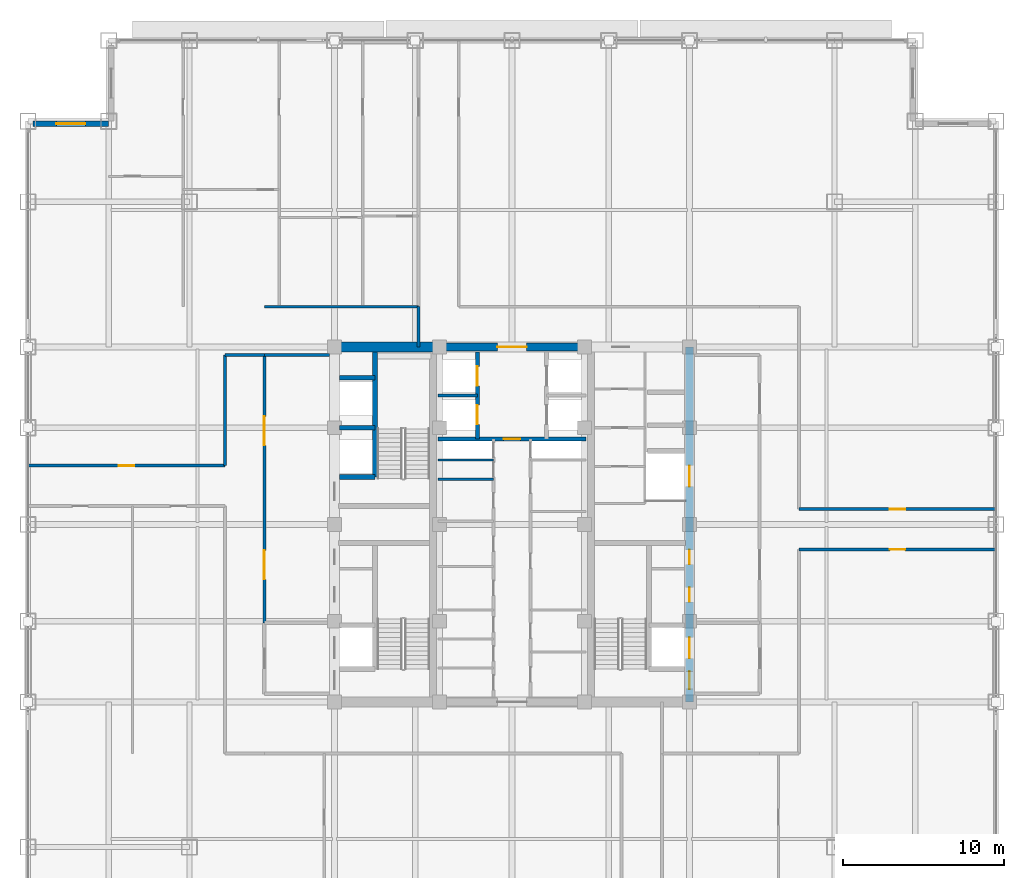
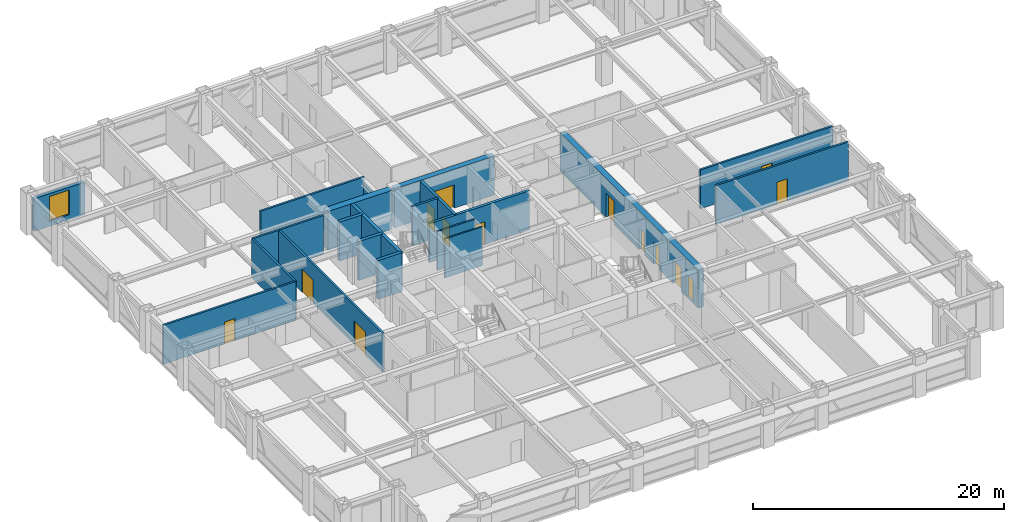
# One storey, part 22 of 29: 22 walls, 14 doors, 1 window, 15 openings.
"""IFC4 building model written with IfcOpenShell, lengths in metres."""

from ifc_helpers import new_model, si_unit, direction, frame, frame_2d, origin, place, context, subcontext, project, spatial, rectangle, extrude, source, transform, mapped, material, layer, layer_set, type_object, element, fill, save


model = new_model("IFC4")

# Units and contexts
model_context = context("Model", 3, precision=1e-05, world=origin(), true_north=direction((0.0, 1.0)))
body_context = subcontext(model_context, "Body", "Model", "MODEL_VIEW")
ifc_project = project(units=[si_unit("LENGTHUNIT", "METRE"), si_unit("AREAUNIT", "SQUARE_METRE"), si_unit("VOLUMEUNIT", "CUBIC_METRE"), si_unit("PLANEANGLEUNIT", "RADIAN"), si_unit("MASSUNIT", "GRAM", prefix="KILO")], contexts=[model_context])

# Site, building, storey
site_placement = place(None, origin())
site = spatial("IfcSite", under=ifc_project, at=site_placement, CompositionType="ELEMENT")
building_placement = place(site_placement, origin())
building = spatial("IfcBuilding", under=site, at=building_placement, Name="Khorayat Bourse Tower", CompositionType="ELEMENT")
storey_placement = place(building_placement, frame((0.0, 0.0, 235.10009765625)))
storey = spatial("IfcBuildingStorey", under=building, at=storey_placement, Name="L55", CompositionType="ELEMENT", Elevation=235.10009765625)

# Wall, opening, door
ifc_material_1 = material(Name="Concrete C52/65", Category="concrete")
ifc_layer_1 = layer(ifc_material_1, 0.5)
ifc_layer_set_1 = layer_set([ifc_layer_1], Name="Concrete C52/65")
wall_type_1 = type_object("IfcWallType", Name="WAL-CORE-500", PredefinedType="SHEAR", material=ifc_layer_set_1)
shared_shape_1 = source(origin(), body_context, "Body", "SweptSolid", [
    extrude(rectangle(XDim=9.2001953125, YDim=0.5, at=frame_2d((4.60009765625, 0.0))), origin(), (0.0, 0.0, 1.0), 3.77978515625),
])
wall_1_placement = place(storey_placement, frame((-4.60009765625, 11.0, 0.0), z_axis=(0.0, 0.0, 1.0), x_axis=(1.0, 0.0, 0.0)))
wall_1 = element("IfcWall", 1, at=wall_1_placement, inside=storey, type_object=wall_type_1, Name="L55 Core Shear Wall CORE-N", PredefinedType="SHEAR", context=body_context, shape_type="MappedRepresentation", body=[
    mapped(shared_shape_1, transform((0.0, 0.0, 0.0), scale=1.0)),
])
shared_shape_2 = source(origin(), body_context, "Body", "SweptSolid", [
    extrude(rectangle(XDim=1.800048828125, YDim=2.25, at=frame_2d((0.89990234375, 1.125))), frame((0.0, 0.260009765625, 0.0), z_axis=(0.0, -1.0, 0.0), x_axis=(1.0, 0.0, 0.0)), (0.0, 0.0, 1.0), 0.52001953125),
])
opening_1_placement = place(wall_1_placement, frame((3.699951171875, 0.0, 0.0)))
opening_1 = element("IfcOpeningElement", 2, at=opening_1_placement, cuts=wall_1, Name="Opening DI-03", PredefinedType="OPENING", context=body_context, shape_type="MappedRepresentation", body=[
    mapped(shared_shape_2, transform((0.0, 0.0, 0.0), scale=1.0)),
])
ifc_material_2 = material(Name="Fire-rated hardwood vision-panel double leaf", Category="wood")
door_type_1 = type_object("IfcDoorType", Name="DR-INT-CORR-1800", OperationType="NOTDEFINED", PredefinedType="DOOR", material=ifc_material_2)
shared_shape_3 = source(origin(), body_context, "Body", "SweptSolid", [
    extrude(rectangle(XDim=1.800048828125, YDim=2.25, at=frame_2d((0.89990234375, 1.125))), frame((0.0, 0.02490234375, 0.0), z_axis=(0.0, -1.0, 0.0), x_axis=(1.0, 0.0, 0.0)), (0.0, 0.0, 1.0), 0.050048828125),
])
door_1_placement = place(opening_1_placement, origin())
door_1 = element("IfcDoor", 3, at=door_1_placement, inside=storey, type_object=door_type_1, Name="L55 Mid-Rise Lift Lobby Door", OperationType="SINGLE_SWING_RIGHT", OverallHeight=2.25, OverallWidth=1.800048828125, PredefinedType="DOOR", context=body_context, shape_type="MappedRepresentation", body=[
    mapped(shared_shape_3, transform((0.0, 0.0, 0.0), scale=1.0)),
])
fill(opening_1, door_1)

# Wall, openings, doors
shared_shape_4 = source(origin(), body_context, "Body", "SweptSolid", [
    extrude(rectangle(XDim=22.0, YDim=0.5, at=frame_2d((11.0, 0.0))), origin(), (0.0, 0.0, 1.0), 3.77978515625),
])
wall_2_placement = place(storey_placement, frame((11.0, -11.0, 0.0), z_axis=(0.0, 0.0, 1.0), x_axis=(0.0, 1.0, 0.0)))
wall_2 = element("IfcWall", 4, at=wall_2_placement, inside=storey, type_object=wall_type_1, Name="L55 Core Shear Wall CORE-E", PredefinedType="SHEAR", context=body_context, shape_type="MappedRepresentation", body=[
    mapped(shared_shape_4, transform((0.0, 0.0, 0.0), scale=1.0)),
])
shared_shape_5 = source(origin(), body_context, "Body", "SweptSolid", [
    extrude(rectangle(XDim=1.10009765625, YDim=2.199951171875, at=frame_2d((0.550048828125, 1.10009765625))), frame((0.0, 0.260009765625, 0.0), z_axis=(0.0, -1.0, 0.0), x_axis=(1.0, 0.0, 0.0)), (0.0, 0.0, 1.0), 0.52001953125),
])
opening_2_placement = place(wall_2_placement, frame((0.800048828125, 0.0, 0.0)))
opening_2 = element("IfcOpeningElement", 5, at=opening_2_placement, cuts=wall_2, Name="Opening DI-01", PredefinedType="OPENING", context=body_context, shape_type="MappedRepresentation", body=[
    mapped(shared_shape_5, transform((0.0, 0.0, 0.0), scale=1.0)),
])
shared_shape_6 = source(origin(), body_context, "Body", "SweptSolid", [
    extrude(rectangle(XDim=0.89990234375, YDim=2.14990234375, at=frame_2d((0.449951171875, 1.074951171875))), frame((0.0, 0.260009765625, 0.0), z_axis=(0.0, -1.0, 0.0), x_axis=(1.0, 0.0, 0.0)), (0.0, 0.0, 1.0), 0.52001953125),
])
opening_3_placement = place(wall_2_placement, frame((6.199951171875, 0.0, 0.0)))
opening_3 = element("IfcOpeningElement", 6, at=opening_3_placement, cuts=wall_2, Name="Opening DI-06", PredefinedType="OPENING", context=body_context, shape_type="MappedRepresentation", body=[
    mapped(shared_shape_6, transform((0.0, 0.0, 0.0), scale=1.0)),
])
opening_4_placement = place(wall_2_placement, frame((8.52490234375, 0.0, 0.0)))
opening_4 = element("IfcOpeningElement", 7, at=opening_4_placement, cuts=wall_2, Name="Opening DI-06", PredefinedType="OPENING", context=body_context, shape_type="MappedRepresentation", body=[
    mapped(shared_shape_6, transform((0.0, 0.0, 0.0), scale=1.0)),
])
shared_shape_7 = source(origin(), body_context, "Body", "SweptSolid", [
    extrude(rectangle(XDim=1.300048828125, YDim=2.300048828125, at=frame_2d((0.64990234375, 1.14990234375))), frame((0.0, 0.260009765625, 0.0), z_axis=(0.0, -1.0, 0.0), x_axis=(1.0, 0.0, 0.0)), (0.0, 0.0, 1.0), 0.52001953125),
])
opening_5_placement = place(wall_2_placement, frame((2.699951171875, 0.0, 0.0)))
opening_5 = element("IfcOpeningElement", 8, at=opening_5_placement, cuts=wall_2, Name="Opening LD-02", PredefinedType="OPENING", context=body_context, shape_type="MappedRepresentation", body=[
    mapped(shared_shape_7, transform((0.0, 0.0, 0.0), scale=1.0)),
])
opening_6_placement = place(wall_2_placement, frame((13.35009765625, 0.0, 0.0)))
opening_6 = element("IfcOpeningElement", 9, at=opening_6_placement, cuts=wall_2, Name="Opening LD-02", PredefinedType="OPENING", context=body_context, shape_type="MappedRepresentation", body=[
    mapped(shared_shape_7, transform((0.0, 0.0, 0.0), scale=1.0)),
])
ifc_material_3 = material(Name="Fire-rated steel acoustic leaf", Category="steel")
door_type_2 = type_object("IfcDoorType", Name="DR-INT-STAIR-1100", OperationType="NOTDEFINED", PredefinedType="DOOR", material=ifc_material_3)
shared_shape_8 = source(origin(), body_context, "Body", "SweptSolid", [
    extrude(rectangle(XDim=1.10009765625, YDim=2.199951171875, at=frame_2d((0.550048828125, 1.10009765625))), frame((0.0, 0.02490234375, 0.0), z_axis=(0.0, -1.0, 0.0), x_axis=(1.0, 0.0, 0.0)), (0.0, 0.0, 1.0), 0.050048828125),
])
door_2_placement = place(opening_2_placement, origin())
door_2 = element("IfcDoor", 10, at=door_2_placement, inside=storey, type_object=door_type_2, Name="L55 Exit Stair 3 Door", OperationType="SINGLE_SWING_LEFT", OverallHeight=2.199951171875, OverallWidth=1.10009765625, PredefinedType="DOOR", context=body_context, shape_type="MappedRepresentation", body=[
    mapped(shared_shape_8, transform((0.0, 0.0, 0.0), scale=1.0)),
])
fill(opening_2, door_2)
ifc_material_4 = material(Name="Moisture-resistant laminate washroom door")
door_type_3 = type_object("IfcDoorType", Name="DR-INT-WC-900", OperationType="NOTDEFINED", PredefinedType="DOOR", material=ifc_material_4)
shared_shape_9 = source(origin(), body_context, "Body", "SweptSolid", [
    extrude(rectangle(XDim=0.89990234375, YDim=2.14990234375, at=frame_2d((0.449951171875, 1.074951171875))), frame((0.0, 0.02490234375, 0.0), z_axis=(0.0, -1.0, 0.0), x_axis=(1.0, 0.0, 0.0)), (0.0, 0.0, 1.0), 0.050048828125),
])
door_3_placement = place(opening_3_placement, origin())
door_3 = element("IfcDoor", 11, at=door_3_placement, inside=storey, type_object=door_type_3, Name="L55 Telecom Closet Door", OperationType="SINGLE_SWING_LEFT", OverallHeight=2.14990234375, OverallWidth=0.89990234375, PredefinedType="DOOR", context=body_context, shape_type="MappedRepresentation", body=[
    mapped(shared_shape_9, transform((0.0, 0.0, 0.0), scale=1.0)),
])
fill(opening_3, door_3)
door_4_placement = place(opening_4_placement, origin())
door_4 = element("IfcDoor", 12, at=door_4_placement, inside=storey, type_object=door_type_3, Name="L55 Stationery Store Door", OperationType="SINGLE_SWING_RIGHT", OverallHeight=2.14990234375, OverallWidth=0.89990234375, PredefinedType="DOOR", context=body_context, shape_type="MappedRepresentation", body=[
    mapped(shared_shape_9, transform((0.0, 0.0, 0.0), scale=1.0)),
])
fill(opening_4, door_4)
ifc_material_5 = material(Name="Fire-rated stainless-steel sliding landing door", Category="steel")
door_type_4 = type_object("IfcDoorType", Name="DR-LIFT-FF-1300", OperationType="NOTDEFINED", PredefinedType="DOOR", material=ifc_material_5)
shared_shape_10 = source(origin(), body_context, "Body", "SweptSolid", [
    extrude(rectangle(XDim=1.300048828125, YDim=2.300048828125, at=frame_2d((0.64990234375, 1.14990234375))), frame((0.0, 0.02490234375, 0.0), z_axis=(0.0, -1.0, 0.0), x_axis=(1.0, 0.0, 0.0)), (0.0, 0.0, 1.0), 0.050048828125),
])
door_5_placement = place(opening_5_placement, origin())
door_5 = element("IfcDoor", 13, at=door_5_placement, inside=storey, type_object=door_type_4, Name="L55 Lift FFL-02 Sliding Landing Door", OperationType="SLIDING_TO_LEFT", OverallHeight=2.300048828125, OverallWidth=1.300048828125, PredefinedType="DOOR", context=body_context, shape_type="MappedRepresentation", body=[
    mapped(shared_shape_10, transform((0.0, 0.0, 0.0), scale=1.0)),
])
fill(opening_5, door_5)
door_6_placement = place(opening_6_placement, origin())
door_6 = element("IfcDoor", 14, at=door_6_placement, inside=storey, type_object=door_type_4, Name="L55 Lift SVL-01 Sliding Landing Door", OperationType="SLIDING_TO_LEFT", OverallHeight=2.300048828125, OverallWidth=1.300048828125, PredefinedType="DOOR", context=body_context, shape_type="MappedRepresentation", body=[
    mapped(shared_shape_10, transform((0.0, 0.0, 0.0), scale=1.0)),
])
fill(opening_6, door_6)

# Wall
ifc_material_6 = material(Name="Concrete C60/75", Category="concrete")
ifc_layer_2 = layer(ifc_material_6, 0.60009765625)
ifc_layer_set_2 = layer_set([ifc_layer_2], Name="Concrete C60/75")
wall_type_2 = type_object("IfcWallType", Name="WAL-CORE-600", PredefinedType="SHEAR", material=ifc_layer_set_2)
shared_shape_11 = source(origin(), body_context, "Body", "SweptSolid", [
    extrude(rectangle(XDim=5.89990234375, YDim=0.60009765625, at=frame_2d((2.949951171875, 0.0))), origin(), (0.0, 0.0, 1.0), 3.77978515625),
])
wall_3_placement = place(storey_placement, frame((-10.75, 11.0, 0.0), z_axis=(0.0, 0.0, 1.0), x_axis=(1.0, 0.0, 0.0)))
element("IfcWall", 15, at=wall_3_placement, inside=storey, type_object=wall_type_2, Name="L55 Core Shear Wall PIER-WN", PredefinedType="SHEAR", context=body_context, shape_type="MappedRepresentation", body=[
    mapped(shared_shape_11, transform((0.0, 0.0, 0.0), scale=1.0)),
])

# Wall, opening, window
ifc_material_7 = material(Name="Precast concrete C45/55", Category="concrete")
ifc_layer_3 = layer(ifc_material_7, 0.320068359375)
ifc_layer_set_3 = layer_set([ifc_layer_3], Name="Precast concrete C45/55")
wall_type_3 = type_object("IfcWallType", Name="WAL-EXT-STONE-320", PredefinedType="STANDARD", material=ifc_layer_set_3)
shared_shape_12 = source(origin(), body_context, "Body", "SweptSolid", [
    extrude(rectangle(XDim=4.679931640625, YDim=0.320068359375, at=frame_2d((2.33984375, 0.0))), origin(), (0.0, 0.0, 1.0), 3.163818359375),
])
wall_4_placement = place(storey_placement, frame((-25.0, 24.840087890625, 0.0), z_axis=(0.0, 0.0, 1.0), x_axis=(-1.0, 0.0, 0.0)))
wall_4 = element("IfcWall", 16, at=wall_4_placement, inside=storey, type_object=wall_type_3, Name="L55 Re-Entrant Notch Limestone Wall NW-H", PredefinedType="STANDARD", context=body_context, shape_type="MappedRepresentation", body=[
    mapped(shared_shape_12, transform((0.0, 0.0, 0.0), scale=1.0)),
])
shared_shape_13 = source(origin(), body_context, "Body", "SweptSolid", [
    extrude(rectangle(XDim=1.800048828125, YDim=2.39990234375, at=frame_2d((0.89990234375, 1.199951171875))), frame((0.0, 0.169921875, 0.0), z_axis=(0.0, -1.0, 0.0), x_axis=(1.0, 0.0, 0.0)), (0.0, 0.0, 1.0), 0.340087890625),
])
opening_7_placement = place(wall_4_placement, frame((1.43994140625, 0.0, 0.5)))
opening_7 = element("IfcOpeningElement", 17, at=opening_7_placement, cuts=wall_4, Name="Opening WN-04", PredefinedType="OPENING", context=body_context, shape_type="MappedRepresentation", body=[
    mapped(shared_shape_13, transform((0.0, 0.0, 0.0), scale=1.0)),
])
ifc_material_8 = material(Name="Low-E acoustic laminated double glazing", Category="glass")
window_type = type_object("IfcWindowType", Name="WIN-NOTCH-1800x2400", PartitioningType="SINGLE_PANEL", PredefinedType="WINDOW", material=ifc_material_8)
shared_shape_14 = source(origin(), body_context, "Body", "SweptSolid", [
    extrude(rectangle(XDim=1.800048828125, YDim=2.39990234375, at=frame_2d((0.89990234375, 1.199951171875))), frame((0.0, 0.030029296875, 0.0), z_axis=(0.0, -1.0, 0.0), x_axis=(1.0, 0.0, 0.0)), (0.0, 0.0, 1.0), 0.06005859375),
])
window_placement = place(opening_7_placement, origin())
window = element("IfcWindow", 18, at=window_placement, inside=storey, type_object=window_type, Name="L55 Facade Window 1", OverallHeight=2.39990234375, OverallWidth=1.800048828125, PartitioningType="SINGLE_PANEL", PredefinedType="WINDOW", context=body_context, shape_type="MappedRepresentation", body=[
    mapped(shared_shape_14, transform((0.0, 0.0, 0.0), scale=1.0)),
])
fill(opening_7, window)

# Walls
ifc_material_9 = material(Name="Concrete C50/60", Category="concrete")
ifc_layer_4 = layer(ifc_material_9, 0.300048828125)
ifc_layer_set_4 = layer_set([ifc_layer_4], Name="Concrete C50/60")
wall_type_4 = type_object("IfcWallType", Name="WAL-SHAFT-300", PredefinedType="SHEAR", material=ifc_layer_set_4)
shared_shape_15 = source(origin(), body_context, "Body", "SweptSolid", [
    extrude(rectangle(XDim=2.199951171875, YDim=0.300048828125, at=frame_2d((1.10009765625, 0.0))), origin(), (0.0, 0.0, 1.0), 3.77978515625),
])
for number, where, z_axis, x_axis, name in (
    (19, (-10.699951171875, 2.949951171875, 0.0), (0.0, 0.0, 1.0), (1.0, 0.0, 0.0), "L55 Partition WAL-L55-WPIER-H1S"),
    (20, (-10.699951171875, 6.0, 0.0), (0.0, 0.0, 1.0), (1.0, 0.0, 0.0), "L55 Partition WAL-L55-WPIER-H12"),
    (21, (-10.699951171875, 9.10009765625, 0.0), (0.0, 0.0, 1.0), (1.0, 0.0, 0.0), "L55 Partition WAL-L55-WPIER-H2N"),
):
    element("IfcWall", number, at=place(storey_placement, frame(where, z_axis=z_axis, x_axis=x_axis)), inside=storey, type_object=wall_type_4, Name=name, PredefinedType="SHEAR", context=body_context, shape_type="MappedRepresentation", body=[
        mapped(shared_shape_15, transform((0.0, 0.0, 0.0), scale=1.0)),
    ])
shared_shape_16 = source(origin(), body_context, "Body", "SweptSolid", [
    extrude(rectangle(XDim=7.75, YDim=0.300048828125, at=frame_2d((3.875, 0.0))), origin(), (0.0, 0.0, 1.0), 3.77978515625),
])
wall_5_placement = place(storey_placement, frame((-8.5, 2.949951171875, 0.0), z_axis=(0.0, 0.0, 1.0), x_axis=(0.0, 1.0, 0.0)))
element("IfcWall", 22, at=wall_5_placement, inside=storey, type_object=wall_type_4, Name="L55 Partition WAL-L55-WPIER-ST2S", PredefinedType="SHEAR", context=body_context, shape_type="MappedRepresentation", body=[
    mapped(shared_shape_16, transform((0.0, 0.0, 0.0), scale=1.0)),
])
ifc_material_10 = material(Name="Gypsum plasterboard acoustic stud wall")
ifc_layer_5 = layer(ifc_material_10, 0.179931640625)
ifc_layer_set_5 = layer_set([ifc_layer_5], Name="Gypsum plasterboard acoustic stud wall")
wall_type_5 = type_object("IfcWallType", Name="WAL-PART-CORR-180", PredefinedType="PARTITIONING", material=ifc_layer_set_5)
shared_shape_17 = source(origin(), body_context, "Body", "SweptSolid", [
    extrude(rectangle(XDim=4.050048828125, YDim=0.179931640625, at=frame_2d((2.02490234375, 0.0))), origin(), (0.0, 0.0, 1.0), 3.77978515625),
])
wall_6_placement = place(storey_placement, frame((-15.35009765625, 10.5, 0.0), z_axis=(0.0, 0.0, 1.0), x_axis=(1.0, 0.0, 0.0)))
element("IfcWall", 23, at=wall_6_placement, inside=storey, type_object=wall_type_5, Name="L55 Partition WAL-L55-WLOB-N", PredefinedType="PARTITIONING", context=body_context, shape_type="MappedRepresentation", body=[
    mapped(shared_shape_17, transform((0.0, 0.0, 0.0), scale=1.0)),
])

# Wall, openings, doors
shared_shape_18 = source(origin(), body_context, "Body", "SweptSolid", [
    extrude(rectangle(XDim=16.60009765625, YDim=0.179931640625, at=frame_2d((8.300048828125, 0.0))), origin(), (0.0, 0.0, 1.0), 3.77978515625),
])
wall_7_placement = place(storey_placement, frame((-15.35009765625, -6.10009765625, 0.0), z_axis=(0.0, 0.0, 1.0), x_axis=(0.0, 1.0, 0.0)))
wall_7 = element("IfcWall", 24, at=wall_7_placement, inside=storey, type_object=wall_type_5, Name="L55 Partition WAL-L55-WLOB-W", PredefinedType="PARTITIONING", context=body_context, shape_type="MappedRepresentation", body=[
    mapped(shared_shape_18, transform((0.0, 0.0, 0.0), scale=1.0)),
])
shared_shape_19 = source(origin(), body_context, "Body", "SweptSolid", [
    extrude(rectangle(XDim=1.800048828125, YDim=2.25, at=frame_2d((0.89990234375, 1.125))), frame((0.0, 0.099853515625, 0.0), z_axis=(0.0, -1.0, 0.0), x_axis=(1.0, 0.0, 0.0)), (0.0, 0.0, 1.0), 0.199951171875),
])
opening_8_placement = place(wall_7_placement, frame((2.699951171875, 0.0, 0.0)))
opening_8 = element("IfcOpeningElement", 25, at=opening_8_placement, cuts=wall_7, Name="Opening DI-03", PredefinedType="OPENING", context=body_context, shape_type="MappedRepresentation", body=[
    mapped(shared_shape_19, transform((0.0, 0.0, 0.0), scale=1.0)),
])
opening_9_placement = place(wall_7_placement, frame((11.0, 0.0, 0.0)))
opening_9 = element("IfcOpeningElement", 26, at=opening_9_placement, cuts=wall_7, Name="Opening DI-03", PredefinedType="OPENING", context=body_context, shape_type="MappedRepresentation", body=[
    mapped(shared_shape_19, transform((0.0, 0.0, 0.0), scale=1.0)),
])
door_7_placement = place(opening_8_placement, origin())
door_7 = element("IfcDoor", 27, at=door_7_placement, inside=storey, type_object=door_type_1, Name="L55 West Core Lobby South Door", OperationType="SINGLE_SWING_LEFT", OverallHeight=2.25, OverallWidth=1.800048828125, PredefinedType="DOOR", context=body_context, shape_type="MappedRepresentation", body=[
    mapped(shared_shape_3, transform((0.0, 0.0, 0.0), scale=1.0)),
])
fill(opening_8, door_7)
door_8_placement = place(opening_9_placement, origin())
door_8 = element("IfcDoor", 28, at=door_8_placement, inside=storey, type_object=door_type_1, Name="L55 West Core Lobby North Door", OperationType="SINGLE_SWING_RIGHT", OverallHeight=2.25, OverallWidth=1.800048828125, PredefinedType="DOOR", context=body_context, shape_type="MappedRepresentation", body=[
    mapped(shared_shape_3, transform((0.0, 0.0, 0.0), scale=1.0)),
])
fill(opening_9, door_8)

# Walls
ifc_material_11 = material(Name="Gypsum plasterboard twin-frame partition")
ifc_layer_6 = layer(ifc_material_11, 0.14990234375)
ifc_layer_set_6 = layer_set([ifc_layer_6], Name="Gypsum plasterboard twin-frame partition")
wall_type_6 = type_object("IfcWallType", Name="WAL-PART-SUITE-150", PredefinedType="PARTITIONING", material=ifc_layer_set_6)
shared_shape_20 = source(origin(), body_context, "Body", "SweptSolid", [
    extrude(rectangle(XDim=3.4501953125, YDim=0.14990234375, at=frame_2d((1.72509765625, 0.0))), origin(), (0.0, 0.0, 1.0), 3.77978515625),
])
wall_8_placement = place(storey_placement, frame((-4.60009765625, 4.0, 0.0), z_axis=(0.0, 0.0, 1.0), x_axis=(1.0, 0.0, 0.0)))
element("IfcWall", 29, at=wall_8_placement, inside=storey, type_object=wall_type_6, Name="L55 Partition WAL-L55-CRSW-S", PredefinedType="PARTITIONING", context=body_context, shape_type="MappedRepresentation", body=[
    mapped(shared_shape_20, transform((0.0, 0.0, 0.0), scale=1.0)),
])
ifc_material_12 = material(Name="Moisture-resistant masonry partition", Category="masonry")
ifc_layer_7 = layer(ifc_material_12, 0.139892578125)
ifc_layer_set_7 = layer_set([ifc_layer_7], Name="Moisture-resistant masonry partition")
wall_type_7 = type_object("IfcWallType", Name="WAL-PART-WET-140", PredefinedType="PARTITIONING", material=ifc_layer_set_7)
shared_shape_21 = source(origin(), body_context, "Body", "SweptSolid", [
    extrude(rectangle(XDim=3.4501953125, YDim=0.139892578125, at=frame_2d((1.72509765625, 0.0))), origin(), (0.0, 0.0, 1.0), 3.77978515625),
])
wall_9_placement = place(storey_placement, frame((-4.60009765625, 2.800048828125, 0.0), z_axis=(0.0, 0.0, 1.0), x_axis=(1.0, 0.0, 0.0)))
element("IfcWall", 30, at=wall_9_placement, inside=storey, type_object=wall_type_7, Name="L55 Partition WAL-L55-CMW-D3", PredefinedType="PARTITIONING", context=body_context, shape_type="MappedRepresentation", body=[
    mapped(shared_shape_21, transform((0.0, 0.0, 0.0), scale=1.0)),
])

# Wall, openings, doors
shared_shape_22 = source(origin(), body_context, "Body", "SweptSolid", [
    extrude(rectangle(XDim=5.39990234375, YDim=0.25, at=frame_2d((2.699951171875, 0.0))), origin(), (0.0, 0.0, 1.0), 3.77978515625),
])
wall_10_placement = place(storey_placement, frame((-2.14990234375, 5.300048828125, 0.0), z_axis=(0.0, 0.0, 1.0), x_axis=(0.0, 1.0, 0.0)))
wall_10 = element("IfcWall", 31, at=wall_10_placement, inside=storey, type_object=wall_type_4, Name="L55 Partition WAL-L55-B2-W", PredefinedType="SHEAR", context=body_context, shape_type="MappedRepresentation", body=[
    mapped(shared_shape_22, transform((0.0, 0.0, 0.0), scale=1.0)),
])
shared_shape_23 = source(origin(), body_context, "Body", "SweptSolid", [
    extrude(rectangle(XDim=1.199951171875, YDim=2.300048828125, at=frame_2d((0.60009765625, 1.14990234375))), frame((0.0, 0.135009765625, 0.0), z_axis=(0.0, -1.0, 0.0), x_axis=(1.0, 0.0, 0.0)), (0.0, 0.0, 1.0), 0.27001953125),
])
opening_10_placement = place(wall_10_placement, frame((3.300048828125, 0.0, 0.0)))
opening_10 = element("IfcOpeningElement", 32, at=opening_10_placement, cuts=wall_10, Name="Opening LD-01", PredefinedType="OPENING", context=body_context, shape_type="MappedRepresentation", body=[
    mapped(shared_shape_23, transform((0.0, 0.0, 0.0), scale=1.0)),
])
opening_11_placement = place(wall_10_placement, frame((0.89990234375, 0.0, 0.0)))
opening_11 = element("IfcOpeningElement", 33, at=opening_11_placement, cuts=wall_10, Name="Opening LD-01", PredefinedType="OPENING", context=body_context, shape_type="MappedRepresentation", body=[
    mapped(shared_shape_23, transform((0.0, 0.0, 0.0), scale=1.0)),
])
ifc_material_13 = material(Name="Brushed bronze stainless-steel sliding door", Category="steel")
door_type_5 = type_object("IfcDoorType", Name="DR-LIFT-PASS-1200", OperationType="NOTDEFINED", PredefinedType="DOOR", material=ifc_material_13)
shared_shape_24 = source(origin(), body_context, "Body", "SweptSolid", [
    extrude(rectangle(XDim=1.199951171875, YDim=2.300048828125, at=frame_2d((0.60009765625, 1.14990234375))), frame((0.0, 0.02490234375, 0.0), z_axis=(0.0, -1.0, 0.0), x_axis=(1.0, 0.0, 0.0)), (0.0, 0.0, 1.0), 0.050048828125),
])
door_9_placement = place(opening_10_placement, origin())
door_9 = element("IfcDoor", 34, at=door_9_placement, inside=storey, type_object=door_type_5, Name="L55 Lift PL-M1 Sliding Landing Door", OperationType="SLIDING_TO_LEFT", OverallHeight=2.300048828125, OverallWidth=1.199951171875, PredefinedType="DOOR", context=body_context, shape_type="MappedRepresentation", body=[
    mapped(shared_shape_24, transform((0.0, 0.0, 0.0), scale=1.0)),
])
fill(opening_10, door_9)
door_10_placement = place(opening_11_placement, origin())
door_10 = element("IfcDoor", 35, at=door_10_placement, inside=storey, type_object=door_type_5, Name="L55 Lift PL-M3 Sliding Landing Door", OperationType="SLIDING_TO_LEFT", OverallHeight=2.300048828125, OverallWidth=1.199951171875, PredefinedType="DOOR", context=body_context, shape_type="MappedRepresentation", body=[
    mapped(shared_shape_24, transform((0.0, 0.0, 0.0), scale=1.0)),
])
fill(opening_11, door_10)

# Wall
shared_shape_25 = source(origin(), body_context, "Body", "SweptSolid", [
    extrude(rectangle(XDim=2.4501953125, YDim=0.199951171875, at=frame_2d((1.22509765625, 0.0))), origin(), (0.0, 0.0, 1.0), 3.77978515625),
])
wall_11_placement = place(storey_placement, frame((-4.60009765625, 8.0, 0.0), z_axis=(0.0, 0.0, 1.0), x_axis=(1.0, 0.0, 0.0)))
element("IfcWall", 36, at=wall_11_placement, inside=storey, type_object=wall_type_4, Name="L55 Partition WAL-L55-B2-MW", PredefinedType="SHEAR", context=body_context, shape_type="MappedRepresentation", body=[
    mapped(shared_shape_25, transform((0.0, 0.0, 0.0), scale=1.0)),
])

# Wall, opening, door
shared_shape_26 = source(origin(), body_context, "Body", "SweptSolid", [
    extrude(rectangle(XDim=9.2001953125, YDim=0.25, at=frame_2d((4.60009765625, 0.0))), origin(), (0.0, 0.0, 1.0), 3.77978515625),
])
wall_12_placement = place(storey_placement, frame((-4.60009765625, 5.300048828125, 0.0), z_axis=(0.0, 0.0, 1.0), x_axis=(1.0, 0.0, 0.0)))
wall_12 = element("IfcWall", 37, at=wall_12_placement, inside=storey, type_object=wall_type_4, Name="L55 Partition WAL-L55-B2-S", PredefinedType="SHEAR", context=body_context, shape_type="MappedRepresentation", body=[
    mapped(shared_shape_26, transform((0.0, 0.0, 0.0), scale=1.0)),
])
shared_shape_27 = source(origin(), body_context, "Body", "SweptSolid", [
    extrude(rectangle(XDim=1.050048828125, YDim=2.199951171875, at=frame_2d((0.52490234375, 1.10009765625))), frame((0.0, 0.135009765625, 0.0), z_axis=(0.0, -1.0, 0.0), x_axis=(1.0, 0.0, 0.0)), (0.0, 0.0, 1.0), 0.27001953125),
])
opening_12_placement = place(wall_12_placement, frame((4.074951171875, 0.0, 0.0)))
opening_12 = element("IfcOpeningElement", 38, at=opening_12_placement, cuts=wall_12, Name="Opening DI-04", PredefinedType="OPENING", context=body_context, shape_type="MappedRepresentation", body=[
    mapped(shared_shape_27, transform((0.0, 0.0, 0.0), scale=1.0)),
])
ifc_material_14 = material(Name="Fire-rated oak veneer suite entrance door")
door_type_6 = type_object("IfcDoorType", Name="DR-INT-SUITE-1050", OperationType="NOTDEFINED", PredefinedType="DOOR", material=ifc_material_14)
shared_shape_28 = source(origin(), body_context, "Body", "SweptSolid", [
    extrude(rectangle(XDim=1.050048828125, YDim=2.199951171875, at=frame_2d((0.52490234375, 1.10009765625))), frame((0.0, 0.02490234375, 0.0), z_axis=(0.0, -1.0, 0.0), x_axis=(1.0, 0.0, 0.0)), (0.0, 0.0, 1.0), 0.050048828125),
])
door_11_placement = place(opening_12_placement, origin())
door_11 = element("IfcDoor", 39, at=door_11_placement, inside=storey, type_object=door_type_6, Name="L55 Core Spine North Door", OperationType="SINGLE_SWING_RIGHT", OverallHeight=2.199951171875, OverallWidth=1.050048828125, PredefinedType="DOOR", context=body_context, shape_type="MappedRepresentation", body=[
    mapped(shared_shape_28, transform((0.0, 0.0, 0.0), scale=1.0)),
])
fill(opening_12, door_11)

# Wall
shared_shape_29 = source(origin(), body_context, "Body", "SweptSolid", [
    extrude(rectangle(XDim=2.449951171875, YDim=0.179931640625, at=frame_2d((1.22509765625, 0.0))), origin(), (0.0, 0.0, 1.0), 3.77978515625),
])
wall_13_placement = place(storey_placement, frame((-17.800048828125, 10.5, 0.0), z_axis=(0.0, 0.0, 1.0), x_axis=(1.0, 0.0, 0.0)))
element("IfcWall", 40, at=wall_13_placement, inside=storey, type_object=wall_type_5, Name="L55 Partition WAL-L55-C2-WN", PredefinedType="PARTITIONING", context=body_context, shape_type="MappedRepresentation", body=[
    mapped(shared_shape_29, transform((0.0, 0.0, 0.0), scale=1.0)),
])

# Wall, opening, door
shared_shape_30 = source(origin(), body_context, "Body", "SweptSolid", [
    extrude(rectangle(XDim=12.199951171875, YDim=0.179931640625, at=frame_2d((6.10009765625, 0.0))), origin(), (0.0, 0.0, 1.0), 3.77978515625),
])
wall_14_placement = place(storey_placement, frame((-30.0, 3.64990234375, 0.0), z_axis=(0.0, 0.0, 1.0), x_axis=(1.0, 0.0, 0.0)))
wall_14 = element("IfcWall", 41, at=wall_14_placement, inside=storey, type_object=wall_type_5, Name="L55 Partition WAL-L55-WN-SPK", PredefinedType="PARTITIONING", context=body_context, shape_type="MappedRepresentation", body=[
    mapped(shared_shape_30, transform((0.0, 0.0, 0.0), scale=1.0)),
])
shared_shape_31 = source(origin(), body_context, "Body", "SweptSolid", [
    extrude(rectangle(XDim=0.949951171875, YDim=2.14990234375, at=frame_2d((0.47509765625, 1.074951171875))), frame((0.0, 0.099853515625, 0.0), z_axis=(0.0, -1.0, 0.0), x_axis=(1.0, 0.0, 0.0)), (0.0, 0.0, 1.0), 0.199951171875),
])
opening_13_placement = place(wall_14_placement, frame((5.625, 0.0, 0.0)))
opening_13 = element("IfcOpeningElement", 42, at=opening_13_placement, cuts=wall_14, Name="Opening DI-05", PredefinedType="OPENING", context=body_context, shape_type="MappedRepresentation", body=[
    mapped(shared_shape_31, transform((0.0, 0.0, 0.0), scale=1.0)),
])
ifc_material_15 = material(Name="Acoustic oak veneer office door")
door_type_7 = type_object("IfcDoorType", Name="DR-INT-OFFICE-950", OperationType="NOTDEFINED", PredefinedType="DOOR", material=ifc_material_15)
shared_shape_32 = source(origin(), body_context, "Body", "SweptSolid", [
    extrude(rectangle(XDim=0.949951171875, YDim=2.14990234375, at=frame_2d((0.47509765625, 1.074951171875))), frame((0.0, 0.02490234375, 0.0), z_axis=(0.0, -1.0, 0.0), x_axis=(1.0, 0.0, 0.0)), (0.0, 0.0, 1.0), 0.050048828125),
])
door_12_placement = place(opening_13_placement, origin())
door_12 = element("IfcDoor", 43, at=door_12_placement, inside=storey, type_object=door_type_7, Name="L55 Equities Trading Desk WN Door", OperationType="SINGLE_SWING_LEFT", OverallHeight=2.14990234375, OverallWidth=0.949951171875, PredefinedType="DOOR", context=body_context, shape_type="MappedRepresentation", body=[
    mapped(shared_shape_32, transform((0.0, 0.0, 0.0), scale=1.0)),
])
fill(opening_13, door_12)

wall_15_placement = place(storey_placement, frame((17.800048828125, -1.550048828125, 0.0), z_axis=(0.0, 0.0, 1.0), x_axis=(1.0, 0.0, 0.0)))
wall_15 = element("IfcWall", 44, at=wall_15_placement, inside=storey, type_object=wall_type_5, Name="L55 Partition WAL-L55-ES-SPK", PredefinedType="PARTITIONING", context=body_context, shape_type="MappedRepresentation", body=[
    mapped(shared_shape_30, transform((0.0, 0.0, 0.0), scale=1.0)),
])
opening_14_placement = place(wall_15_placement, frame((5.625, 0.0, 0.0)))
opening_14 = element("IfcOpeningElement", 45, at=opening_14_placement, cuts=wall_15, Name="Opening DI-05", PredefinedType="OPENING", context=body_context, shape_type="MappedRepresentation", body=[
    mapped(shared_shape_31, transform((0.0, 0.0, 0.0), scale=1.0)),
])
door_13_placement = place(opening_14_placement, origin())
door_13 = element("IfcDoor", 46, at=door_13_placement, inside=storey, type_object=door_type_7, Name="L55 Staff Tea Pantry ES Door", OperationType="SINGLE_SWING_LEFT", OverallHeight=2.14990234375, OverallWidth=0.949951171875, PredefinedType="DOOR", context=body_context, shape_type="MappedRepresentation", body=[
    mapped(shared_shape_32, transform((0.0, 0.0, 0.0), scale=1.0)),
])
fill(opening_14, door_13)

wall_16_placement = place(storey_placement, frame((17.800048828125, 0.949951171875, 0.0), z_axis=(0.0, 0.0, 1.0), x_axis=(1.0, 0.0, 0.0)))
wall_16 = element("IfcWall", 47, at=wall_16_placement, inside=storey, type_object=wall_type_5, Name="L55 Partition WAL-L55-EN-SPK", PredefinedType="PARTITIONING", context=body_context, shape_type="MappedRepresentation", body=[
    mapped(shared_shape_30, transform((0.0, 0.0, 0.0), scale=1.0)),
])
opening_15_placement = place(wall_16_placement, frame((5.625, 0.0, 0.0)))
opening_15 = element("IfcOpeningElement", 48, at=opening_15_placement, cuts=wall_16, Name="Opening DI-05", PredefinedType="OPENING", context=body_context, shape_type="MappedRepresentation", body=[
    mapped(shared_shape_31, transform((0.0, 0.0, 0.0), scale=1.0)),
])
door_14_placement = place(opening_15_placement, origin())
door_14 = element("IfcDoor", 49, at=door_14_placement, inside=storey, type_object=door_type_7, Name="L55 Clearing Operations Office EN Door", OperationType="SINGLE_SWING_LEFT", OverallHeight=2.14990234375, OverallWidth=0.949951171875, PredefinedType="DOOR", context=body_context, shape_type="MappedRepresentation", body=[
    mapped(shared_shape_32, transform((0.0, 0.0, 0.0), scale=1.0)),
])
fill(opening_15, door_14)

# Walls
shared_shape_33 = source(origin(), body_context, "Body", "SweptSolid", [
    extrude(rectangle(XDim=9.550048828125, YDim=0.179931640625, at=frame_2d((4.77490234375, 0.0))), origin(), (0.0, 0.0, 1.0), 3.77978515625),
])
wall_17_placement = place(storey_placement, frame((-15.35009765625, 13.5, 0.0), z_axis=(0.0, 0.0, 1.0), x_axis=(1.0, 0.0, 0.0)))
element("IfcWall", 50, at=wall_17_placement, inside=storey, type_object=wall_type_5, Name="L55 Partition WAL-L55-QNW-HC", PredefinedType="PARTITIONING", context=body_context, shape_type="MappedRepresentation", body=[
    mapped(shared_shape_33, transform((0.0, 0.0, 0.0), scale=1.0)),
])
shared_shape_34 = source(origin(), body_context, "Body", "SweptSolid", [
    extrude(rectangle(XDim=2.5, YDim=0.179931640625, at=frame_2d((1.25, 0.0))), origin(), (0.0, 0.0, 1.0), 3.0849609375),
])
wall_18_placement = place(storey_placement, frame((-5.800048828125, 11.0, 0.0), z_axis=(0.0, 0.0, 1.0), x_axis=(0.0, 1.0, 0.0)))
element("IfcWall", 51, at=wall_18_placement, inside=storey, type_object=wall_type_5, Name="L55 Partition WAL-L55-C2-NCW", PredefinedType="PARTITIONING", context=body_context, shape_type="MappedRepresentation", body=[
    mapped(shared_shape_34, transform((0.0, 0.0, 0.0), scale=1.0)),
])
shared_shape_35 = source(origin(), body_context, "Body", "SweptSolid", [
    extrude(rectangle(XDim=6.85009765625, YDim=0.179931640625, at=frame_2d((3.425048828125, 0.0))), origin(), (0.0, 0.0, 1.0), 3.77978515625),
])
wall_19_placement = place(storey_placement, frame((-17.800048828125, 3.64990234375, 0.0), z_axis=(0.0, 0.0, 1.0), x_axis=(0.0, 1.0, 0.0)))
element("IfcWall", 52, at=wall_19_placement, inside=storey, type_object=wall_type_5, Name="L55 Partition WAL-L55-WN-IN", PredefinedType="PARTITIONING", context=body_context, shape_type="MappedRepresentation", body=[
    mapped(shared_shape_35, transform((0.0, 0.0, 0.0), scale=1.0)),
])

save(model, "model.ifc")
